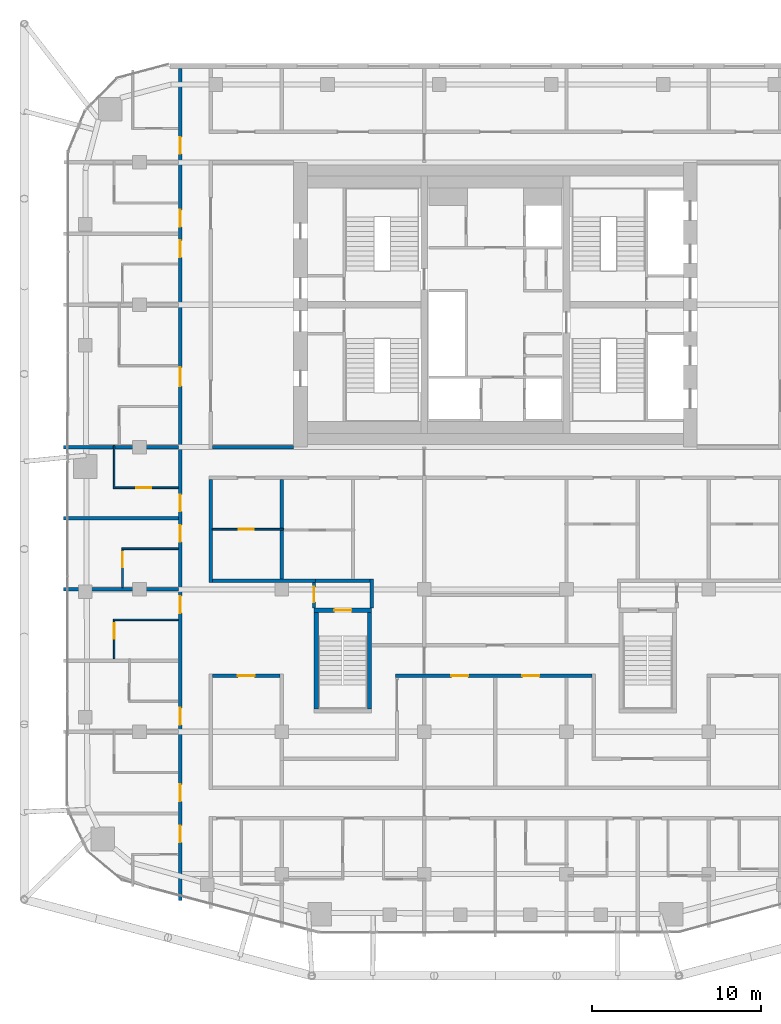
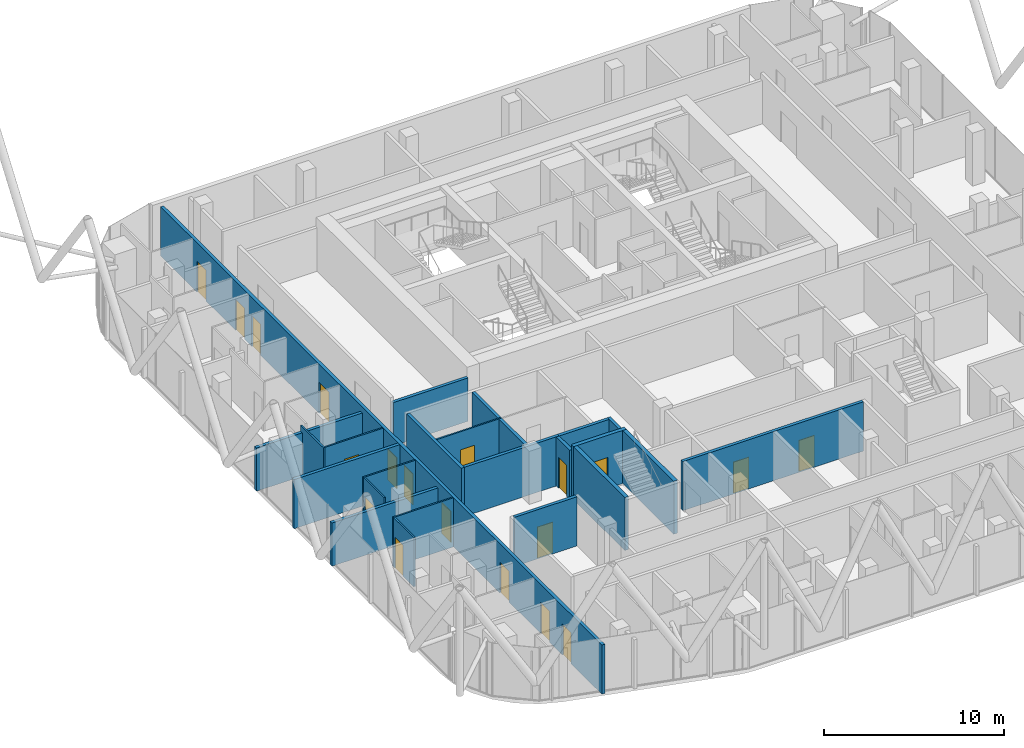
# One storey, part 24 of 31: 23 walls, 19 doors, 19 openings.
"""IFC4 building model written with IfcOpenShell, lengths in metres."""

from ifc_helpers import new_model, si_unit, direction, frame, frame_2d, origin, place, context, subcontext, project, spatial, rectangle, extrude, material, layer, layer_set, type_object, element, fill, save


model = new_model("IFC4")

# Units and contexts
model_context = context("Model", 3, precision=1e-05, world=origin(), true_north=direction((0.0, 1.0)))
body_context = subcontext(model_context, "Body", "Model", "MODEL_VIEW")
ifc_project = project(units=[si_unit("LENGTHUNIT", "METRE"), si_unit("AREAUNIT", "SQUARE_METRE"), si_unit("VOLUMEUNIT", "CUBIC_METRE"), si_unit("PLANEANGLEUNIT", "RADIAN"), si_unit("MASSUNIT", "GRAM", prefix="KILO")], contexts=[model_context])

# Site, building, storey
site_placement = place(None, origin())
site = spatial("IfcSite", under=ifc_project, at=site_placement, CompositionType="ELEMENT")
building_placement = place(site_placement, origin())
building = spatial("IfcBuilding", under=site, at=building_placement, Name="Marenta Gate Hotel Tower", CompositionType="ELEMENT")
storey_placement = place(building_placement, frame((0.0, 0.0, 220.10009765625)))
storey = spatial("IfcBuildingStorey", under=building, at=storey_placement, Name="L51", CompositionType="ELEMENT", Elevation=220.10009765625)

# Wall
ifc_material_1 = material(Name="Concrete blockwork", Category="masonry")
ifc_layer_1 = layer(ifc_material_1, 0.199951171875)
ifc_layer_set_1 = layer_set([ifc_layer_1], Name="Concrete blockwork")
wall_type_1 = type_object("IfcWallType", Name="Core boundary wall 200 REI 180", PredefinedType="PARTITIONING", material=ifc_layer_set_1)
wall_1_placement = place(storey_placement, frame((-16.699951171875, 0.0, 0.0), z_axis=(0.0, 0.0, 1.0), x_axis=(1.0, 0.0, 0.0)))
element("IfcWall", 1, at=wall_1_placement, inside=storey, type_object=wall_type_1, Name="L51-CP-EW-WS", PredefinedType="PARTITIONING", context=body_context, shape_type="SweptSolid", body=[
    extrude(rectangle(XDim=4.800048828125, YDim=0.199951171875, at=frame_2d((2.39990234375, 0.0))), origin(), (0.0, 0.0, 1.0), 2.93994140625),
])

# Wall, opening, door
ifc_material_2 = material(Name="Concrete C40", Category="concrete")
ifc_layer_2 = layer(ifc_material_2, 0.25)
ifc_layer_set_2 = layer_set([ifc_layer_2], Name="Concrete C40")
wall_type_2 = type_object("IfcWallType", Name="Remote stair enclosure wall 250 REI 180", PredefinedType="SHEAR", material=ifc_layer_set_2)
wall_2_placement = place(storey_placement, frame((-10.699951171875, -9.625, 0.099853515625), z_axis=(0.0, 0.0, 1.0), x_axis=(1.0, 0.0, 0.0)))
wall_2 = element("IfcWall", 2, at=wall_2_placement, inside=storey, type_object=wall_type_2, Name="L51-RS-Z3-1-W2", PredefinedType="SHEAR", context=body_context, shape_type="SweptSolid", body=[
    extrude(rectangle(XDim=3.39990234375, YDim=0.25, at=frame_2d((1.699951171875, 0.0))), origin(), (0.0, 0.0, 1.0), 3.60009765625),
])
opening_1_placement = place(wall_2_placement, frame((1.199951171875, 0.0, 0.0)))
opening_1 = element("IfcOpeningElement", 3, at=opening_1_placement, cuts=wall_2, Name="Opening VD", PredefinedType="OPENING", context=body_context, shape_type="SweptSolid", body=[
    extrude(rectangle(XDim=1.0, YDim=2.10009765625, at=frame_2d((0.5, 1.050048828125))), frame((0.0, 0.125, 0.0), z_axis=(0.0, -1.0, 0.0), x_axis=(1.0, 0.0, 0.0)), (0.0, 0.0, 1.0), 0.25),
])
ifc_material_3 = material(Name="Steel", Category="steel")
door_type_1 = type_object("IfcDoorType", Name="Stair vestibule door 1000x2100 FD60", OperationType="SINGLE_SWING_LEFT", PredefinedType="DOOR", material=ifc_material_3)
door_1_placement = place(opening_1_placement, origin())
door_1 = element("IfcDoor", 4, at=door_1_placement, inside=storey, type_object=door_type_1, Name="VD", OperationType="SINGLE_SWING_LEFT", OverallHeight=2.10009765625, OverallWidth=1.0, PredefinedType="DOOR", context=body_context, shape_type="SweptSolid", body=[
    extrude(rectangle(XDim=1.0, YDim=2.10009765625, at=frame_2d((0.5, 1.050048828125))), frame((0.0, 0.02490234375, 0.0), z_axis=(0.0, -1.0, 0.0), x_axis=(1.0, 0.0, 0.0)), (0.0, 0.0, 1.0), 0.050048828125),
])
fill(opening_1, door_1)

# Walls
for number, where, z_axis, x_axis, name in (
    (5, (-10.574951171875, -15.449951171875, 0.099853515625), (0.0, 0.0, 1.0), (0.0, 1.0, 0.0), "L51-RS-Z3-1-W3"),
    (6, (-7.425048828125, -15.449951171875, 0.099853515625), (0.0, 0.0, 1.0), (0.0, 1.0, 0.0), "L51-RS-Z3-1-W4"),
):
    element("IfcWall", number, at=place(storey_placement, frame(where, z_axis=z_axis, x_axis=x_axis)), inside=storey, type_object=wall_type_2, Name=name, PredefinedType="SHEAR", context=body_context, shape_type="SweptSolid", body=[
        extrude(rectangle(XDim=5.699951171875, YDim=0.25, at=frame_2d((2.85009765625, 0.0))), origin(), (0.0, 0.0, 1.0), 3.60009765625),
    ])
ifc_material_4 = material(Name="Concrete blockwork", Category="masonry")
ifc_layer_3 = layer(ifc_material_4, 0.199951171875)
ifc_layer_set_3 = layer_set([ifc_layer_3], Name="Concrete blockwork")
wall_type_3 = type_object("IfcWallType", Name="Room corridor wall 200 EI 120", PredefinedType="PARTITIONING", material=ifc_layer_set_3)
wall_3_placement = place(storey_placement, frame((-16.699951171875, -7.89990234375, 0.0), z_axis=(0.0, 0.0, 1.0), x_axis=(1.0, 0.0, 0.0)))
element("IfcWall", 7, at=wall_3_placement, inside=storey, type_object=wall_type_3, Name="L51-PTN-W053", PredefinedType="PARTITIONING", context=body_context, shape_type="SweptSolid", body=[
    extrude(rectangle(XDim=6.099853515625, YDim=0.199951171875, at=frame_2d((3.0498046875, 0.0))), origin(), (0.0, 0.0, 1.0), 3.33984375),
])

# Wall, opening, door
ifc_material_5 = material(Name="Gypsum board on steel stud", Category="steel")
ifc_layer_4 = layer(ifc_material_5, 0.199951171875)
ifc_layer_set_4 = layer_set([ifc_layer_4], Name="Gypsum board on steel stud")
wall_type_4 = type_object("IfcWallType", Name="Room corridor wall 200 EI 60", PredefinedType="PARTITIONING", material=ifc_layer_set_4)
wall_4_placement = place(storey_placement, frame((-16.699951171875, -13.5, 0.0), z_axis=(0.0, 0.0, 1.0), x_axis=(1.0, 0.0, 0.0)))
wall_4 = element("IfcWall", 8, at=wall_4_placement, inside=storey, type_object=wall_type_4, Name="L51-PTN-W033", PredefinedType="PARTITIONING", context=body_context, shape_type="SweptSolid", body=[
    extrude(rectangle(XDim=4.0, YDim=0.199951171875, at=frame_2d((2.0, 0.0))), origin(), (0.0, 0.0, 1.0), 3.33984375),
])
opening_2_placement = place(wall_4_placement, frame((1.5, 0.0, 0.0)))
opening_2 = element("IfcOpeningElement", 9, at=opening_2_placement, cuts=wall_4, Name="Opening G19-11", PredefinedType="OPENING", context=body_context, shape_type="SweptSolid", body=[
    extrude(rectangle(XDim=1.0, YDim=2.10009765625, at=frame_2d((0.5, 1.050048828125))), frame((0.0, 0.10009765625, 0.0), z_axis=(0.0, -1.0, 0.0), x_axis=(1.0, 0.0, 0.0)), (0.0, 0.0, 1.0), 0.199951171875),
])
ifc_material_6 = material(Name="Timber door leaf", Category="wood")
door_type_2 = type_object("IfcDoorType", Name="Room amenity door 1000x2100 EI 30", OperationType="NOTDEFINED", PredefinedType="DOOR", material=ifc_material_6)
door_2_placement = place(opening_2_placement, origin())
door_2 = element("IfcDoor", 10, at=door_2_placement, inside=storey, type_object=door_type_2, Name="L51-PD-D011", OperationType="SINGLE_SWING_LEFT", OverallHeight=2.10009765625, OverallWidth=1.0, PredefinedType="DOOR", context=body_context, shape_type="SweptSolid", body=[
    extrude(rectangle(XDim=1.0, YDim=2.10009765625, at=frame_2d((0.5, 1.050048828125))), frame((0.0, 0.02490234375, 0.0), z_axis=(0.0, -1.0, 0.0), x_axis=(1.0, 0.0, 0.0)), (0.0, 0.0, 1.0), 0.050048828125),
])
fill(opening_2, door_2)

# Wall, openings, doors
wall_5_placement = place(storey_placement, frame((-5.89990234375, -13.5, 0.0), z_axis=(0.0, 0.0, 1.0), x_axis=(1.0, 0.0, 0.0)))
wall_5 = element("IfcWall", 11, at=wall_5_placement, inside=storey, type_object=wall_type_4, Name="L51-PTN-W034", PredefinedType="PARTITIONING", context=body_context, shape_type="SweptSolid", body=[
    extrude(rectangle(XDim=11.599853515625, YDim=0.199951171875, at=frame_2d((5.7998046875, 0.0))), origin(), (0.0, 0.0, 1.0), 3.33984375),
])
opening_3_placement = place(wall_5_placement, frame((3.300048828125, 0.0, 0.0)))
opening_3 = element("IfcOpeningElement", 12, at=opening_3_placement, cuts=wall_5, Name="Opening G19-13", PredefinedType="OPENING", context=body_context, shape_type="SweptSolid", body=[
    extrude(rectangle(XDim=1.0, YDim=2.10009765625, at=frame_2d((0.5, 1.050048828125))), frame((0.0, 0.10009765625, 0.0), z_axis=(0.0, -1.0, 0.0), x_axis=(1.0, 0.0, 0.0)), (0.0, 0.0, 1.0), 0.199951171875),
])
opening_4_placement = place(wall_5_placement, frame((7.5, 0.0, 0.0)))
opening_4 = element("IfcOpeningElement", 13, at=opening_4_placement, cuts=wall_5, Name="Opening G19-14", PredefinedType="OPENING", context=body_context, shape_type="SweptSolid", body=[
    extrude(rectangle(XDim=1.0, YDim=2.10009765625, at=frame_2d((0.5, 1.050048828125))), frame((0.0, 0.10009765625, 0.0), z_axis=(0.0, -1.0, 0.0), x_axis=(1.0, 0.0, 0.0)), (0.0, 0.0, 1.0), 0.199951171875),
])
door_3_placement = place(opening_3_placement, origin())
door_3 = element("IfcDoor", 14, at=door_3_placement, inside=storey, type_object=door_type_2, Name="L51-PD-D013", OperationType="SINGLE_SWING_LEFT", OverallHeight=2.10009765625, OverallWidth=1.0, PredefinedType="DOOR", context=body_context, shape_type="SweptSolid", body=[
    extrude(rectangle(XDim=1.0, YDim=2.10009765625, at=frame_2d((0.5, 1.050048828125))), frame((0.0, 0.02490234375, 0.0), z_axis=(0.0, -1.0, 0.0), x_axis=(1.0, 0.0, 0.0)), (0.0, 0.0, 1.0), 0.050048828125),
])
fill(opening_3, door_3)
door_4_placement = place(opening_4_placement, origin())
door_4 = element("IfcDoor", 15, at=door_4_placement, inside=storey, type_object=door_type_2, Name="L51-PD-D014", OperationType="SINGLE_SWING_RIGHT", OverallHeight=2.10009765625, OverallWidth=1.0, PredefinedType="DOOR", context=body_context, shape_type="SweptSolid", body=[
    extrude(rectangle(XDim=1.0, YDim=2.10009765625, at=frame_2d((0.5, 1.050048828125))), frame((0.0, 0.02490234375, 0.0), z_axis=(0.0, -1.0, 0.0), x_axis=(1.0, 0.0, 0.0)), (0.0, 0.0, 1.0), 0.050048828125),
])
fill(opening_4, door_4)

# Wall
wall_6_placement = place(storey_placement, frame((-16.800048828125, -8.0, 0.0), z_axis=(0.0, 0.0, 1.0), x_axis=(0.0, 1.0, 0.0)))
element("IfcWall", 16, at=wall_6_placement, inside=storey, type_object=wall_type_4, Name="L51-PTN-W106", PredefinedType="PARTITIONING", context=body_context, shape_type="SweptSolid", body=[
    extrude(rectangle(XDim=6.10009765625, YDim=0.199951171875, at=frame_2d((3.050048828125, 0.0))), origin(), (0.0, 0.0, 1.0), 3.33984375),
])

# Wall, openings, doors
wall_7_placement = place(storey_placement, frame((-18.60009765625, -26.7509765625, 0.0), z_axis=(0.0, 0.0, 1.0), x_axis=(0.0, 1.0, 0.0)))
wall_7 = element("IfcWall", 17, at=wall_7_placement, inside=storey, type_object=wall_type_4, Name="L51-PTN-W110", PredefinedType="PARTITIONING", context=body_context, shape_type="SweptSolid", body=[
    extrude(rectangle(XDim=49.091064453125, YDim=0.199951171875, at=frame_2d((24.54541015625, 0.0))), origin(), (0.0, 0.0, 1.0), 3.33984375),
])
opening_5_placement = place(wall_7_placement, frame((3.4130859375, 0.0, 0.0)))
opening_5 = element("IfcOpeningElement", 18, at=opening_5_placement, cuts=wall_7, Name="Opening G19-50", PredefinedType="OPENING", context=body_context, shape_type="SweptSolid", body=[
    extrude(rectangle(XDim=1.0, YDim=2.10009765625, at=frame_2d((0.5, 1.050048828125))), frame((0.0, 0.10009765625, 0.0), z_axis=(0.0, -1.0, 0.0), x_axis=(1.0, 0.0, 0.0)), (0.0, 0.0, 1.0), 0.199951171875),
])
opening_6_placement = place(wall_7_placement, frame((5.837890625, 0.0, 0.0)))
opening_6 = element("IfcOpeningElement", 19, at=opening_6_placement, cuts=wall_7, Name="Opening G19-52", PredefinedType="OPENING", context=body_context, shape_type="SweptSolid", body=[
    extrude(rectangle(XDim=1.0, YDim=2.10009765625, at=frame_2d((0.5, 1.050048828125))), frame((0.0, 0.10009765625, 0.0), z_axis=(0.0, -1.0, 0.0), x_axis=(1.0, 0.0, 0.0)), (0.0, 0.0, 1.0), 0.199951171875),
])
opening_7_placement = place(wall_7_placement, frame((10.35107421875, 0.0, 0.0)))
opening_7 = element("IfcOpeningElement", 20, at=opening_7_placement, cuts=wall_7, Name="Opening G19-54", PredefinedType="OPENING", context=body_context, shape_type="SweptSolid", body=[
    extrude(rectangle(XDim=1.0, YDim=2.10009765625, at=frame_2d((0.5, 1.050048828125))), frame((0.0, 0.10009765625, 0.0), z_axis=(0.0, -1.0, 0.0), x_axis=(1.0, 0.0, 0.0)), (0.0, 0.0, 1.0), 0.199951171875),
])
opening_8_placement = place(wall_7_placement, frame((16.950927734375, 0.0, 0.0)))
opening_8 = element("IfcOpeningElement", 21, at=opening_8_placement, cuts=wall_7, Name="Opening G19-56", PredefinedType="OPENING", context=body_context, shape_type="SweptSolid", body=[
    extrude(rectangle(XDim=1.0, YDim=2.10009765625, at=frame_2d((0.5, 1.050048828125))), frame((0.0, 0.10009765625, 0.0), z_axis=(0.0, -1.0, 0.0), x_axis=(1.0, 0.0, 0.0)), (0.0, 0.0, 1.0), 0.199951171875),
])
opening_9_placement = place(wall_7_placement, frame((21.15087890625, 0.0, 0.0)))
opening_9 = element("IfcOpeningElement", 22, at=opening_9_placement, cuts=wall_7, Name="Opening G19-58", PredefinedType="OPENING", context=body_context, shape_type="SweptSolid", body=[
    extrude(rectangle(XDim=1.0, YDim=2.10009765625, at=frame_2d((0.5, 1.050048828125))), frame((0.0, 0.10009765625, 0.0), z_axis=(0.0, -1.0, 0.0), x_axis=(1.0, 0.0, 0.0)), (0.0, 0.0, 1.0), 0.199951171875),
])
opening_10_placement = place(wall_7_placement, frame((22.950927734375, 0.0, 0.0)))
opening_10 = element("IfcOpeningElement", 23, at=opening_10_placement, cuts=wall_7, Name="Opening G19-60", PredefinedType="OPENING", context=body_context, shape_type="SweptSolid", body=[
    extrude(rectangle(XDim=1.0, YDim=2.10009765625, at=frame_2d((0.5, 1.050048828125))), frame((0.0, 0.10009765625, 0.0), z_axis=(0.0, -1.0, 0.0), x_axis=(1.0, 0.0, 0.0)), (0.0, 0.0, 1.0), 0.199951171875),
])
opening_11_placement = place(wall_7_placement, frame((30.35107421875, 0.0, 0.0)))
opening_11 = element("IfcOpeningElement", 24, at=opening_11_placement, cuts=wall_7, Name="Opening G19-62", PredefinedType="OPENING", context=body_context, shape_type="SweptSolid", body=[
    extrude(rectangle(XDim=1.10009765625, YDim=2.10009765625, at=frame_2d((0.550048828125, 1.050048828125))), frame((0.0, 0.10009765625, 0.0), z_axis=(0.0, -1.0, 0.0), x_axis=(1.0, 0.0, 0.0)), (0.0, 0.0, 1.0), 0.199951171875),
])
opening_12_placement = place(wall_7_placement, frame((37.950927734375, 0.0, 0.0)))
opening_12 = element("IfcOpeningElement", 25, at=opening_12_placement, cuts=wall_7, Name="Opening G19-65", PredefinedType="OPENING", context=body_context, shape_type="SweptSolid", body=[
    extrude(rectangle(XDim=1.0, YDim=2.10009765625, at=frame_2d((0.5, 1.050048828125))), frame((0.0, 0.10009765625, 0.0), z_axis=(0.0, -1.0, 0.0), x_axis=(1.0, 0.0, 0.0)), (0.0, 0.0, 1.0), 0.199951171875),
])
opening_13_placement = place(wall_7_placement, frame((39.7509765625, 0.0, 0.0)))
opening_13 = element("IfcOpeningElement", 26, at=opening_13_placement, cuts=wall_7, Name="Opening G19-67", PredefinedType="OPENING", context=body_context, shape_type="SweptSolid", body=[
    extrude(rectangle(XDim=1.0, YDim=2.10009765625, at=frame_2d((0.5, 1.050048828125))), frame((0.0, 0.10009765625, 0.0), z_axis=(0.0, -1.0, 0.0), x_axis=(1.0, 0.0, 0.0)), (0.0, 0.0, 1.0), 0.199951171875),
])
opening_14_placement = place(wall_7_placement, frame((44.051025390625, 0.0, 0.0)))
opening_14 = element("IfcOpeningElement", 27, at=opening_14_placement, cuts=wall_7, Name="Opening G19-69", PredefinedType="OPENING", context=body_context, shape_type="SweptSolid", body=[
    extrude(rectangle(XDim=1.0, YDim=2.10009765625, at=frame_2d((0.5, 1.050048828125))), frame((0.0, 0.10009765625, 0.0), z_axis=(0.0, -1.0, 0.0), x_axis=(1.0, 0.0, 0.0)), (0.0, 0.0, 1.0), 0.199951171875),
])
ifc_material_7 = material(Name="Timber door leaf", Category="wood")
door_type_3 = type_object("IfcDoorType", Name="Guest room door 1000x2100 EI 30", OperationType="NOTDEFINED", PredefinedType="DOOR", material=ifc_material_7)
door_5_placement = place(opening_5_placement, origin())
door_5 = element("IfcDoor", 28, at=door_5_placement, inside=storey, type_object=door_type_3, Name="L51-PD-D050", OperationType="SINGLE_SWING_LEFT", OverallHeight=2.10009765625, OverallWidth=1.0, PredefinedType="DOOR", context=body_context, shape_type="SweptSolid", body=[
    extrude(rectangle(XDim=1.0, YDim=2.10009765625, at=frame_2d((0.5, 1.050048828125))), frame((0.0, 0.02490234375, 0.0), z_axis=(0.0, -1.0, 0.0), x_axis=(1.0, 0.0, 0.0)), (0.0, 0.0, 1.0), 0.050048828125),
])
fill(opening_5, door_5)
door_6_placement = place(opening_6_placement, origin())
door_6 = element("IfcDoor", 29, at=door_6_placement, inside=storey, type_object=door_type_3, Name="L51-PD-D052", OperationType="SINGLE_SWING_LEFT", OverallHeight=2.10009765625, OverallWidth=1.0, PredefinedType="DOOR", context=body_context, shape_type="SweptSolid", body=[
    extrude(rectangle(XDim=1.0, YDim=2.10009765625, at=frame_2d((0.5, 1.050048828125))), frame((0.0, 0.02490234375, 0.0), z_axis=(0.0, -1.0, 0.0), x_axis=(1.0, 0.0, 0.0)), (0.0, 0.0, 1.0), 0.050048828125),
])
fill(opening_6, door_6)
door_7_placement = place(opening_7_placement, origin())
door_7 = element("IfcDoor", 30, at=door_7_placement, inside=storey, type_object=door_type_3, Name="L51-PD-D054", OperationType="SINGLE_SWING_LEFT", OverallHeight=2.10009765625, OverallWidth=1.0, PredefinedType="DOOR", context=body_context, shape_type="SweptSolid", body=[
    extrude(rectangle(XDim=1.0, YDim=2.10009765625, at=frame_2d((0.5, 1.050048828125))), frame((0.0, 0.02490234375, 0.0), z_axis=(0.0, -1.0, 0.0), x_axis=(1.0, 0.0, 0.0)), (0.0, 0.0, 1.0), 0.050048828125),
])
fill(opening_7, door_7)
door_8_placement = place(opening_8_placement, origin())
door_8 = element("IfcDoor", 31, at=door_8_placement, inside=storey, type_object=door_type_3, Name="L51-PD-D056", OperationType="SINGLE_SWING_LEFT", OverallHeight=2.10009765625, OverallWidth=1.0, PredefinedType="DOOR", context=body_context, shape_type="SweptSolid", body=[
    extrude(rectangle(XDim=1.0, YDim=2.10009765625, at=frame_2d((0.5, 1.050048828125))), frame((0.0, 0.02490234375, 0.0), z_axis=(0.0, -1.0, 0.0), x_axis=(1.0, 0.0, 0.0)), (0.0, 0.0, 1.0), 0.050048828125),
])
fill(opening_8, door_8)
door_9_placement = place(opening_9_placement, origin())
door_9 = element("IfcDoor", 32, at=door_9_placement, inside=storey, type_object=door_type_3, Name="L51-PD-D058", OperationType="SINGLE_SWING_LEFT", OverallHeight=2.10009765625, OverallWidth=1.0, PredefinedType="DOOR", context=body_context, shape_type="SweptSolid", body=[
    extrude(rectangle(XDim=1.0, YDim=2.10009765625, at=frame_2d((0.5, 1.050048828125))), frame((0.0, 0.02490234375, 0.0), z_axis=(0.0, -1.0, 0.0), x_axis=(1.0, 0.0, 0.0)), (0.0, 0.0, 1.0), 0.050048828125),
])
fill(opening_9, door_9)
door_10_placement = place(opening_10_placement, origin())
door_10 = element("IfcDoor", 33, at=door_10_placement, inside=storey, type_object=door_type_3, Name="L51-PD-D060", OperationType="SINGLE_SWING_LEFT", OverallHeight=2.10009765625, OverallWidth=1.0, PredefinedType="DOOR", context=body_context, shape_type="SweptSolid", body=[
    extrude(rectangle(XDim=1.0, YDim=2.10009765625, at=frame_2d((0.5, 1.050048828125))), frame((0.0, 0.02490234375, 0.0), z_axis=(0.0, -1.0, 0.0), x_axis=(1.0, 0.0, 0.0)), (0.0, 0.0, 1.0), 0.050048828125),
])
fill(opening_10, door_10)
door_11_placement = place(opening_12_placement, origin())
door_11 = element("IfcDoor", 34, at=door_11_placement, inside=storey, type_object=door_type_3, Name="L51-PD-D065", OperationType="SINGLE_SWING_RIGHT", OverallHeight=2.10009765625, OverallWidth=1.0, PredefinedType="DOOR", context=body_context, shape_type="SweptSolid", body=[
    extrude(rectangle(XDim=1.0, YDim=2.10009765625, at=frame_2d((0.5, 1.050048828125))), frame((0.0, 0.02490234375, 0.0), z_axis=(0.0, -1.0, 0.0), x_axis=(1.0, 0.0, 0.0)), (0.0, 0.0, 1.0), 0.050048828125),
])
fill(opening_12, door_11)
door_12_placement = place(opening_13_placement, origin())
door_12 = element("IfcDoor", 35, at=door_12_placement, inside=storey, type_object=door_type_3, Name="L51-PD-D067", OperationType="SINGLE_SWING_RIGHT", OverallHeight=2.10009765625, OverallWidth=1.0, PredefinedType="DOOR", context=body_context, shape_type="SweptSolid", body=[
    extrude(rectangle(XDim=1.0, YDim=2.10009765625, at=frame_2d((0.5, 1.050048828125))), frame((0.0, 0.02490234375, 0.0), z_axis=(0.0, -1.0, 0.0), x_axis=(1.0, 0.0, 0.0)), (0.0, 0.0, 1.0), 0.050048828125),
])
fill(opening_13, door_12)
door_13_placement = place(opening_14_placement, origin())
door_13 = element("IfcDoor", 36, at=door_13_placement, inside=storey, type_object=door_type_3, Name="L51-PD-D069", OperationType="SINGLE_SWING_RIGHT", OverallHeight=2.10009765625, OverallWidth=1.0, PredefinedType="DOOR", context=body_context, shape_type="SweptSolid", body=[
    extrude(rectangle(XDim=1.0, YDim=2.10009765625, at=frame_2d((0.5, 1.050048828125))), frame((0.0, 0.02490234375, 0.0), z_axis=(0.0, -1.0, 0.0), x_axis=(1.0, 0.0, 0.0)), (0.0, 0.0, 1.0), 0.050048828125),
])
fill(opening_14, door_13)
ifc_material_8 = material(Name="Timber door leaf", Category="wood")
door_type_4 = type_object("IfcDoorType", Name="Guest room door 1100x2100 EI 30", OperationType="NOTDEFINED", PredefinedType="DOOR", material=ifc_material_8)
door_14_placement = place(opening_11_placement, origin())
door_14 = element("IfcDoor", 37, at=door_14_placement, inside=storey, type_object=door_type_4, Name="L51-PD-D062", OperationType="SINGLE_SWING_RIGHT", OverallHeight=2.10009765625, OverallWidth=1.10009765625, PredefinedType="DOOR", context=body_context, shape_type="SweptSolid", body=[
    extrude(rectangle(XDim=1.10009765625, YDim=2.10009765625, at=frame_2d((0.550048828125, 1.050048828125))), frame((0.0, 0.02490234375, 0.0), z_axis=(0.0, -1.0, 0.0), x_axis=(1.0, 0.0, 0.0)), (0.0, 0.0, 1.0), 0.050048828125),
])
fill(opening_11, door_14)

# Wall, opening, door
ifc_material_9 = material(Name="Concrete blockwork", Category="masonry")
ifc_layer_5 = layer(ifc_material_9, 0.199951171875)
ifc_layer_set_5 = layer_set([ifc_layer_5], Name="Concrete blockwork")
wall_type_5 = type_object("IfcWallType", Name="Room corridor wall 200 REI 180", PredefinedType="PARTITIONING", material=ifc_layer_set_5)
wall_8_placement = place(storey_placement, frame((-10.699951171875, -9.5, 0.0), z_axis=(0.0, 0.0, 1.0), x_axis=(0.0, 1.0, 0.0)))
wall_8 = element("IfcWall", 38, at=wall_8_placement, inside=storey, type_object=wall_type_5, Name="L51-PTN-W092", PredefinedType="PARTITIONING", context=body_context, shape_type="SweptSolid", body=[
    extrude(rectangle(XDim=1.5, YDim=0.199951171875, at=frame_2d((0.75, 0.0))), origin(), (0.0, 0.0, 1.0), 3.33984375),
])
opening_15_placement = place(wall_8_placement, frame((0.35009765625, 0.0, 0.0)))
opening_15 = element("IfcOpeningElement", 39, at=opening_15_placement, cuts=wall_8, Name="Opening G19-71", PredefinedType="OPENING", context=body_context, shape_type="SweptSolid", body=[
    extrude(rectangle(XDim=0.89990234375, YDim=2.10009765625, at=frame_2d((0.449951171875, 1.050048828125))), frame((0.0, 0.10009765625, 0.0), z_axis=(0.0, -1.0, 0.0), x_axis=(1.0, 0.0, 0.0)), (0.0, 0.0, 1.0), 0.199951171875),
])
ifc_material_10 = material(Name="Hollow steel door set", Category="steel")
door_type_5 = type_object("IfcDoorType", Name="Stair vestibule door 900x2100 EI 60", OperationType="NOTDEFINED", PredefinedType="DOOR", material=ifc_material_10)
door_15_placement = place(opening_15_placement, origin())
door_15 = element("IfcDoor", 40, at=door_15_placement, inside=storey, type_object=door_type_5, Name="L51-PD-D071", OperationType="SINGLE_SWING_LEFT", OverallHeight=2.10009765625, OverallWidth=0.89990234375, PredefinedType="DOOR", context=body_context, shape_type="SweptSolid", body=[
    extrude(rectangle(XDim=0.89990234375, YDim=2.10009765625, at=frame_2d((0.449951171875, 1.050048828125))), frame((0.0, 0.02490234375, 0.0), z_axis=(0.0, -1.0, 0.0), x_axis=(1.0, 0.0, 0.0)), (0.0, 0.0, 1.0), 0.050048828125),
])
fill(opening_15, door_15)

# Walls
ifc_material_11 = material(Name="Gypsum board on steel stud", Category="steel")
ifc_layer_6 = layer(ifc_material_11, 0.10009765625)
ifc_layer_set_6 = layer_set([ifc_layer_6], Name="Gypsum board on steel stud")
wall_type_6 = type_object("IfcWallType", Name="Room partition 100", PredefinedType="PARTITIONING", material=ifc_layer_set_6)
wall_9_placement = place(storey_placement, frame((-22.550048828125, -10.199951171875, 0.0), z_axis=(0.0, 0.0, 1.0), x_axis=(1.0, 0.0, 0.0)))
element("IfcWall", 41, at=wall_9_placement, inside=storey, type_object=wall_type_6, Name="L51-PTN-W046", PredefinedType="PARTITIONING", context=body_context, shape_type="SweptSolid", body=[
    extrude(rectangle(XDim=3.85009765625, YDim=0.10009765625, at=frame_2d((1.925048828125, 0.0))), origin(), (0.0, 0.0, 1.0), 3.33984375),
])
wall_10_placement = place(storey_placement, frame((-22.050048828125, -6.0, 0.0), z_axis=(0.0, 0.0, 1.0), x_axis=(1.0, 0.0, 0.0)))
element("IfcWall", 42, at=wall_10_placement, inside=storey, type_object=wall_type_6, Name="L51-PTN-W059", PredefinedType="PARTITIONING", context=body_context, shape_type="SweptSolid", body=[
    extrude(rectangle(XDim=3.35009765625, YDim=0.10009765625, at=frame_2d((1.675048828125, 0.0))), origin(), (0.0, 0.0, 1.0), 3.33984375),
])

# Wall, opening, door
wall_11_placement = place(storey_placement, frame((-16.699951171875, -4.85009765625, 0.0), z_axis=(0.0, 0.0, 1.0), x_axis=(1.0, 0.0, 0.0)))
wall_11 = element("IfcWall", 43, at=wall_11_placement, inside=storey, type_object=wall_type_6, Name="L51-PTN-W062", PredefinedType="PARTITIONING", context=body_context, shape_type="SweptSolid", body=[
    extrude(rectangle(XDim=4.199951171875, YDim=0.10009765625, at=frame_2d((2.10009765625, 0.0))), origin(), (0.0, 0.0, 1.0), 3.33984375),
])
opening_16_placement = place(wall_11_placement, frame((1.550048828125, 0.0, 0.0)))
opening_16 = element("IfcOpeningElement", 44, at=opening_16_placement, cuts=wall_11, Name="Opening G19-02", PredefinedType="OPENING", context=body_context, shape_type="SweptSolid", body=[
    extrude(rectangle(XDim=0.89990234375, YDim=2.10009765625, at=frame_2d((0.449951171875, 1.050048828125))), frame((0.0, 0.050048828125, 0.0), z_axis=(0.0, -1.0, 0.0), x_axis=(1.0, 0.0, 0.0)), (0.0, 0.0, 1.0), 0.10009765625),
])
ifc_material_12 = material(Name="Timber door leaf", Category="wood")
door_type_6 = type_object("IfcDoorType", Name="Room inner door 900x2100", OperationType="NOTDEFINED", PredefinedType="DOOR", material=ifc_material_12)
door_16_placement = place(opening_16_placement, origin())
door_16 = element("IfcDoor", 45, at=door_16_placement, inside=storey, type_object=door_type_6, Name="L51-PD-D002", OperationType="SINGLE_SWING_RIGHT", OverallHeight=2.10009765625, OverallWidth=0.89990234375, PredefinedType="DOOR", context=body_context, shape_type="SweptSolid", body=[
    extrude(rectangle(XDim=0.89990234375, YDim=2.10009765625, at=frame_2d((0.449951171875, 1.050048828125))), frame((0.0, 0.02490234375, 0.0), z_axis=(0.0, -1.0, 0.0), x_axis=(1.0, 0.0, 0.0)), (0.0, 0.0, 1.0), 0.050048828125),
])
fill(opening_16, door_16)

wall_12_placement = place(storey_placement, frame((-22.449951171875, -2.39990234375, 0.0), z_axis=(0.0, 0.0, 1.0), x_axis=(1.0, 0.0, 0.0)))
wall_12 = element("IfcWall", 46, at=wall_12_placement, inside=storey, type_object=wall_type_6, Name="L51-PTN-W071", PredefinedType="PARTITIONING", context=body_context, shape_type="SweptSolid", body=[
    extrude(rectangle(XDim=3.75, YDim=0.10009765625, at=frame_2d((1.875, 0.0))), origin(), (0.0, 0.0, 1.0), 3.33984375),
])
opening_17_placement = place(wall_12_placement, frame((1.2548828125, 0.0, 0.0)))
opening_17 = element("IfcOpeningElement", 47, at=opening_17_placement, cuts=wall_12, Name="Opening G19-61", PredefinedType="OPENING", context=body_context, shape_type="SweptSolid", body=[
    extrude(rectangle(XDim=0.89990234375, YDim=2.10009765625, at=frame_2d((0.449951171875, 1.050048828125))), frame((0.0, 0.050048828125, 0.0), z_axis=(0.0, -1.0, 0.0), x_axis=(1.0, 0.0, 0.0)), (0.0, 0.0, 1.0), 0.10009765625),
])
ifc_material_13 = material(Name="Timber door leaf", Category="wood")
door_type_7 = type_object("IfcDoorType", Name="Guest bathroom door 900x2100", OperationType="NOTDEFINED", PredefinedType="DOOR", material=ifc_material_13)
door_17_placement = place(opening_17_placement, origin())
door_17 = element("IfcDoor", 48, at=door_17_placement, inside=storey, type_object=door_type_7, Name="L51-PD-D061", OperationType="SINGLE_SWING_LEFT", OverallHeight=2.10009765625, OverallWidth=0.89990234375, PredefinedType="DOOR", context=body_context, shape_type="SweptSolid", body=[
    extrude(rectangle(XDim=0.89990234375, YDim=2.10009765625, at=frame_2d((0.449951171875, 1.050048828125))), frame((0.0, 0.02490234375, 0.0), z_axis=(0.0, -1.0, 0.0), x_axis=(1.0, 0.0, 0.0)), (0.0, 0.0, 1.0), 0.050048828125),
])
fill(opening_17, door_17)

wall_13_placement = place(storey_placement, frame((-22.0, -8.300048828125, 0.0), z_axis=(0.0, 0.0, 1.0), x_axis=(0.0, 1.0, 0.0)))
wall_13 = element("IfcWall", 49, at=wall_13_placement, inside=storey, type_object=wall_type_6, Name="L51-PTN-W117", PredefinedType="PARTITIONING", context=body_context, shape_type="SweptSolid", body=[
    extrude(rectangle(XDim=2.25, YDim=0.10009765625, at=frame_2d((1.125, 0.0))), origin(), (0.0, 0.0, 1.0), 3.33984375),
])
opening_18_placement = place(wall_13_placement, frame((1.199951171875, 0.0, 0.0)))
opening_18 = element("IfcOpeningElement", 50, at=opening_18_placement, cuts=wall_13, Name="Opening G19-59", PredefinedType="OPENING", context=body_context, shape_type="SweptSolid", body=[
    extrude(rectangle(XDim=0.89990234375, YDim=2.10009765625, at=frame_2d((0.449951171875, 1.050048828125))), frame((0.0, 0.050048828125, 0.0), z_axis=(0.0, -1.0, 0.0), x_axis=(1.0, 0.0, 0.0)), (0.0, 0.0, 1.0), 0.10009765625),
])
door_18_placement = place(opening_18_placement, origin())
door_18 = element("IfcDoor", 51, at=door_18_placement, inside=storey, type_object=door_type_7, Name="L51-PD-D059", OperationType="SINGLE_SWING_LEFT", OverallHeight=2.10009765625, OverallWidth=0.89990234375, PredefinedType="DOOR", context=body_context, shape_type="SweptSolid", body=[
    extrude(rectangle(XDim=0.89990234375, YDim=2.10009765625, at=frame_2d((0.449951171875, 1.050048828125))), frame((0.0, 0.02490234375, 0.0), z_axis=(0.0, -1.0, 0.0), x_axis=(1.0, 0.0, 0.0)), (0.0, 0.0, 1.0), 0.050048828125),
])
fill(opening_18, door_18)

wall_14_placement = place(storey_placement, frame((-22.5, -12.5, 0.0), z_axis=(0.0, 0.0, 1.0), x_axis=(0.0, 1.0, 0.0)))
wall_14 = element("IfcWall", 52, at=wall_14_placement, inside=storey, type_object=wall_type_6, Name="L51-PTN-W122", PredefinedType="PARTITIONING", context=body_context, shape_type="SweptSolid", body=[
    extrude(rectangle(XDim=2.25, YDim=0.10009765625, at=frame_2d((1.125, 0.0))), origin(), (0.0, 0.0, 1.0), 3.33984375),
])
opening_19_placement = place(wall_14_placement, frame((1.199951171875, 0.0, 0.0)))
opening_19 = element("IfcOpeningElement", 53, at=opening_19_placement, cuts=wall_14, Name="Opening G19-57", PredefinedType="OPENING", context=body_context, shape_type="SweptSolid", body=[
    extrude(rectangle(XDim=0.89990234375, YDim=2.10009765625, at=frame_2d((0.449951171875, 1.050048828125))), frame((0.0, 0.050048828125, 0.0), z_axis=(0.0, -1.0, 0.0), x_axis=(1.0, 0.0, 0.0)), (0.0, 0.0, 1.0), 0.10009765625),
])
door_19_placement = place(opening_19_placement, origin())
door_19 = element("IfcDoor", 54, at=door_19_placement, inside=storey, type_object=door_type_7, Name="L51-PD-D057", OperationType="SINGLE_SWING_LEFT", OverallHeight=2.10009765625, OverallWidth=0.89990234375, PredefinedType="DOOR", context=body_context, shape_type="SweptSolid", body=[
    extrude(rectangle(XDim=0.89990234375, YDim=2.10009765625, at=frame_2d((0.449951171875, 1.050048828125))), frame((0.0, 0.02490234375, 0.0), z_axis=(0.0, -1.0, 0.0), x_axis=(1.0, 0.0, 0.0)), (0.0, 0.0, 1.0), 0.050048828125),
])
fill(opening_19, door_19)

# Walls
wall_15_placement = place(storey_placement, frame((-22.5, -2.449951171875, 0.0), z_axis=(0.0, 0.0, 1.0), x_axis=(0.0, 1.0, 0.0)))
element("IfcWall", 55, at=wall_15_placement, inside=storey, type_object=wall_type_6, Name="L51-PTN-W123", PredefinedType="PARTITIONING", context=body_context, shape_type="SweptSolid", body=[
    extrude(rectangle(XDim=2.550048828125, YDim=0.10009765625, at=frame_2d((1.27490234375, 0.0))), origin(), (0.0, 0.0, 1.0), 3.33984375),
])
ifc_material_14 = material(Name="Concrete blockwork", Category="masonry")
ifc_layer_7 = layer(ifc_material_14, 0.199951171875)
ifc_layer_set_7 = layer_set([ifc_layer_7], Name="Concrete blockwork")
wall_type_7 = type_object("IfcWallType", Name="Room party wall 200 EI 120", PredefinedType="PARTITIONING", material=ifc_layer_set_7)
wall_16_placement = place(storey_placement, frame((-12.60009765625, -7.800048828125, 0.0), z_axis=(0.0, 0.0, 1.0), x_axis=(0.0, 1.0, 0.0)))
element("IfcWall", 56, at=wall_16_placement, inside=storey, type_object=wall_type_7, Name="L51-PTN-W097", PredefinedType="PARTITIONING", context=body_context, shape_type="SweptSolid", body=[
    extrude(rectangle(XDim=5.900146484375, YDim=0.199951171875, at=frame_2d((2.9501953125, 0.0))), origin(), (0.0, 0.0, 1.0), 3.33984375),
])
ifc_material_15 = material(Name="Gypsum board on steel stud", Category="steel")
ifc_layer_8 = layer(ifc_material_15, 0.199951171875)
ifc_layer_set_8 = layer_set([ifc_layer_8], Name="Gypsum board on steel stud")
wall_type_8 = type_object("IfcWallType", Name="Room party wall 200 EI 60", PredefinedType="PARTITIONING", material=ifc_layer_set_8)
wall_17_placement = place(storey_placement, frame((-25.5, -8.39990234375, 0.0), z_axis=(0.0, 0.0, 1.0), x_axis=(1.0, 0.0, 0.0)))
element("IfcWall", 57, at=wall_17_placement, inside=storey, type_object=wall_type_8, Name="L51-PTN-W051", PredefinedType="PARTITIONING", context=body_context, shape_type="SweptSolid", body=[
    extrude(rectangle(XDim=6.800048828125, YDim=0.199951171875, at=frame_2d((3.39990234375, 0.0))), origin(), (0.0, 0.0, 1.0), 2.93994140625),
])
wall_18_placement = place(storey_placement, frame((-25.5, -4.199951171875, 0.0), z_axis=(0.0, 0.0, 1.0), x_axis=(1.0, 0.0, 0.0)))
element("IfcWall", 58, at=wall_18_placement, inside=storey, type_object=wall_type_8, Name="L51-PTN-W070", PredefinedType="PARTITIONING", context=body_context, shape_type="SweptSolid", body=[
    extrude(rectangle(XDim=6.800048828125, YDim=0.199951171875, at=frame_2d((3.39990234375, 0.0))), origin(), (0.0, 0.0, 1.0), 3.33984375),
])
wall_19_placement = place(storey_placement, frame((-25.5, 0.0, 0.0), z_axis=(0.0, 0.0, 1.0), x_axis=(1.0, 0.0, 0.0)))
element("IfcWall", 59, at=wall_19_placement, inside=storey, type_object=wall_type_8, Name="L51-PTN-W077", PredefinedType="PARTITIONING", context=body_context, shape_type="SweptSolid", body=[
    extrude(rectangle(XDim=6.800048828125, YDim=0.199951171875, at=frame_2d((3.39990234375, 0.0))), origin(), (0.0, 0.0, 1.0), 2.93994140625),
])
ifc_material_16 = material(Name="Concrete blockwork", Category="masonry")
ifc_layer_9 = layer(ifc_material_16, 0.199951171875)
ifc_layer_set_9 = layer_set([ifc_layer_9], Name="Concrete blockwork")
wall_type_9 = type_object("IfcWallType", Name="Room party wall 200 REI 180", PredefinedType="PARTITIONING", material=ifc_layer_set_9)
wall_20_placement = place(storey_placement, frame((-10.60009765625, -7.89990234375, 0.0), z_axis=(0.0, 0.0, 1.0), x_axis=(1.0, 0.0, 0.0)))
element("IfcWall", 60, at=wall_20_placement, inside=storey, type_object=wall_type_9, Name="L51-PTN-W055", PredefinedType="PARTITIONING", context=body_context, shape_type="SweptSolid", body=[
    extrude(rectangle(XDim=3.2001953125, YDim=0.199951171875, at=frame_2d((1.60009765625, 0.0))), origin(), (0.0, 0.0, 1.0), 3.33984375),
])
wall_21_placement = place(storey_placement, frame((-7.300048828125, -9.5, 0.0), z_axis=(0.0, 0.0, 1.0), x_axis=(0.0, 1.0, 0.0)))
element("IfcWall", 61, at=wall_21_placement, inside=storey, type_object=wall_type_9, Name="L51-PTN-W087", PredefinedType="PARTITIONING", context=body_context, shape_type="SweptSolid", body=[
    extrude(rectangle(XDim=1.699951171875, YDim=0.199951171875, at=frame_2d((0.85009765625, 0.0))), origin(), (0.0, 0.0, 1.0), 3.33984375),
])

save(model, "model.ifc")
